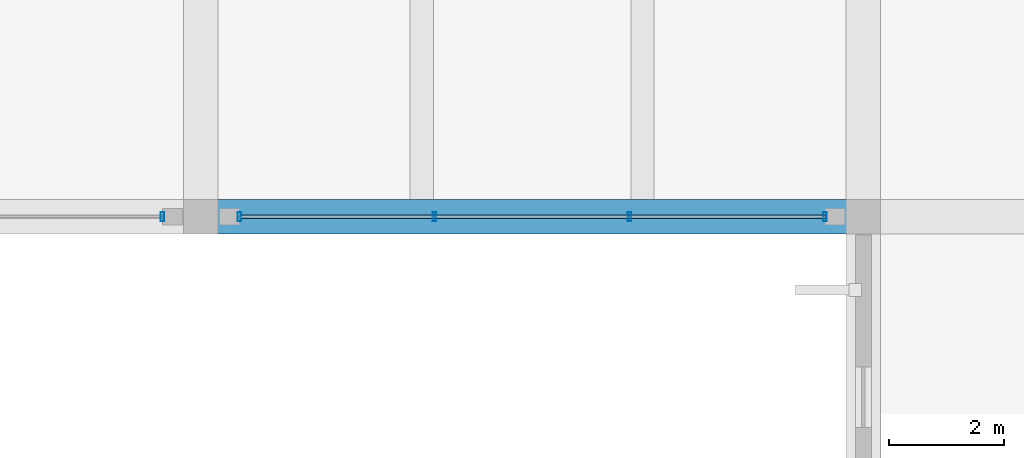
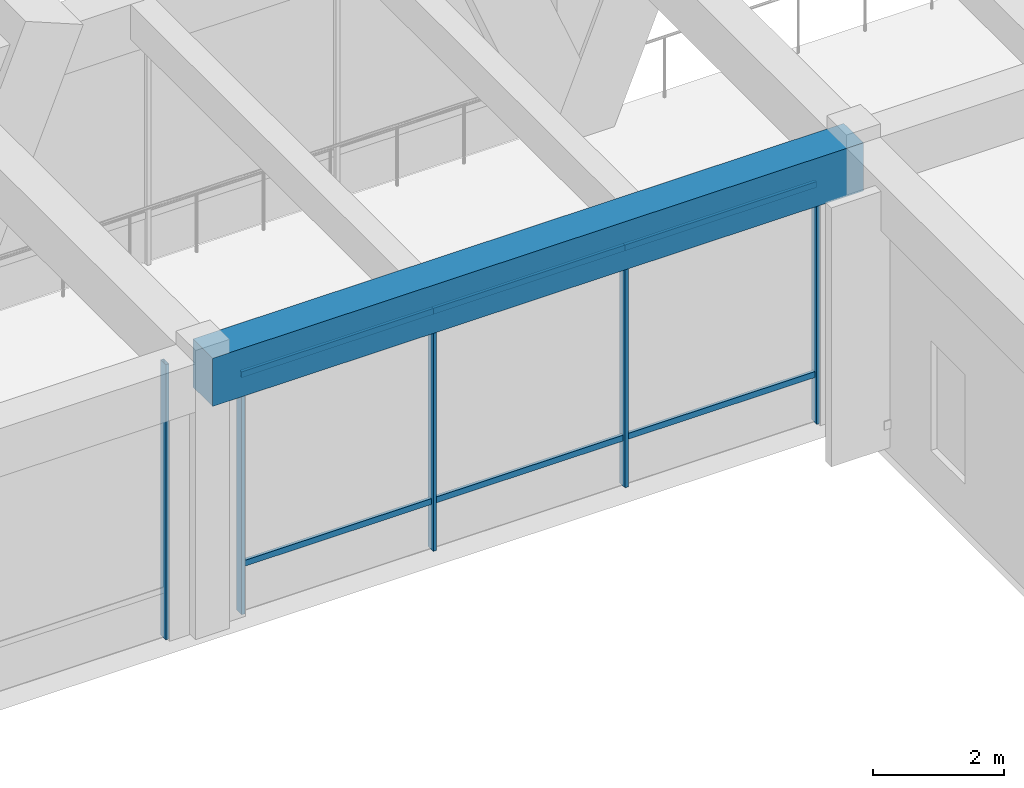
# One storey, part 93 of 148: 11 members, 1 beam, 2 elements without a shape of their own.
"""IFC4 building model written with IfcOpenShell, lengths in metres."""

import ifcopenshell
import ifcopenshell.guid

model = None  # the IFC model being written
_history = None  # IfcOwnerHistory: only IFC2X3 demands one
_inside = {}  # id of a spatial element -> (the spatial element, [elements in it])
_under = {}  # id of a project, library or spatial element -> (it, [spatial elements below it])
_declared = {}  # id of a project -> (the project, [libraries it declares])
_typed = {}  # id of a type object -> (the type object, [elements of that type])
_made_of = {}  # id of a material, layer set ... -> (it, [elements and type objects made of it])


def new_model(schema):
    """Start an empty IFC model of exactly this schema.

    Asked for "IFC4X3", IfcOpenShell would pick the latest addendum, in which some entities
    have other attributes; the version numbers below select the first issue.
    IFC2X3 requires an IfcOwnerHistory on every rooted entity: one is made here for all.
    """
    global model, _history
    if schema == "IFC4X3":
        model = ifcopenshell.file(schema_version=(4, 3, 0, 0))
    else:
        model = ifcopenshell.file(schema=schema)
    _inside.clear()
    _under.clear()
    _declared.clear()
    _typed.clear()
    _made_of.clear()
    _history = None
    if model.schema == "IFC2X3":
        org = make("IfcOrganization", Name="unknown")
        user = make(
            "IfcPersonAndOrganization",
            ThePerson=make("IfcPerson", FamilyName="unknown"),
            TheOrganization=org,
        )
        app = make(
            "IfcApplication",
            ApplicationDeveloper=org,
            Version="unknown",
            ApplicationFullName="unknown",
            ApplicationIdentifier="unknown",
        )
        _history = make(
            "IfcOwnerHistory",
            OwningUser=user,
            OwningApplication=app,
            ChangeAction="ADDED",
            CreationDate=0,
        )
    return model


def make(cls, **values):
    """One entity of the class cls with the attributes given. An attribute that is None is left unset."""
    return model.create_entity(
        cls, **{name: value for name, value in values.items() if value is not None}
    )


def rooted(cls, **values):
    """An entity with a GlobalId (a new one), such as an element, a storey or a relation."""
    return make(cls, GlobalId=ifcopenshell.guid.new(), OwnerHistory=_history, **values)


def si_unit(unit_type, name, prefix=None):
    """IfcSIUnit, for example si_unit("LENGTHUNIT", "METRE", prefix="MILLI")."""
    return make("IfcSIUnit", UnitType=unit_type, Prefix=prefix, Name=name)


def assignment(units):
    """IfcUnitAssignment: the units of a project."""
    return None if units is None else make("IfcUnitAssignment", Units=units)


def point(xyz):
    """IfcCartesianPoint."""
    return None if xyz is None else make("IfcCartesianPoint", Coordinates=xyz)


def direction(xyz):
    """IfcDirection."""
    return None if xyz is None else make("IfcDirection", DirectionRatios=xyz)


def frame(location, z_axis=None, x_axis=None):
    """IfcAxis2Placement3D, a coordinate frame: its origin and axes. An axis left out is left unset."""
    return make(
        "IfcAxis2Placement3D",
        Location=point(location),
        Axis=direction(z_axis),
        RefDirection=direction(x_axis),
    )


def frame_2d(location, x_axis=None):
    """IfcAxis2Placement2D, a coordinate frame in the plane: its origin and x axis."""
    return make(
        "IfcAxis2Placement2D", Location=point(location), RefDirection=direction(x_axis)
    )


def origin():
    """The frame at (0, 0, 0) with its axes left unset."""
    return frame((0.0, 0.0, 0.0))


def origin_2d():
    """The frame at (0, 0) in the plane with its x axis left unset."""
    return frame_2d((0.0, 0.0))


def place(relative_to, where):
    """IfcLocalPlacement: puts the frame where relative to a parent placement (None: the world)."""
    return make(
        "IfcLocalPlacement", PlacementRelTo=relative_to, RelativePlacement=where
    )


def context(
    kind, dimensions, precision=None, world=None, true_north=None, identifier=None
):
    """IfcGeometricRepresentationContext, for example the 3D "Model" context."""
    return make(
        "IfcGeometricRepresentationContext",
        ContextIdentifier=identifier,
        ContextType=kind,
        CoordinateSpaceDimension=dimensions,
        Precision=precision,
        WorldCoordinateSystem=world,
        TrueNorth=true_north,
    )


def subcontext(parent, identifier, kind, view, scale=None):
    """IfcGeometricRepresentationSubContext, for example "Body" below "Model"."""
    return make(
        "IfcGeometricRepresentationSubContext",
        ContextIdentifier=identifier,
        ContextType=kind,
        ParentContext=parent,
        TargetScale=scale,
        TargetView=view,
    )


def project(units=None, contexts=None):
    """IfcProject with its units and contexts."""
    return rooted(
        "IfcProject",
        Name="project",
        RepresentationContexts=contexts,
        UnitsInContext=assignment(units),
    )


def spatial(cls, under=None, at=None, **own):
    """A site, building, storey or space (cls), placed at a placement, below another one or the project."""
    s = rooted(cls, ObjectPlacement=at, **own)
    if under is not None:
        _under.setdefault(under.id(), (under, []))[1].append(s)
    return s


def profile(cls, at=None, kind="AREA", **sizes):
    """A parametric profile (cls). Its sizes go by their IFC names, for example OverallWidth=200.0."""
    return make(cls, ProfileType=kind, Position=at, **sizes)


def rectangle(**sizes):
    """IfcRectangleProfileDef."""
    return profile("IfcRectangleProfileDef", **sizes)


def hollow_rectangle(**sizes):
    """IfcRectangleHollowProfileDef."""
    return profile("IfcRectangleHollowProfileDef", **sizes)


def extrude(swept, where, along, depth):
    """IfcExtrudedAreaSolid: the profile swept, set in the frame where, extruded along a direction by depth."""
    return make(
        "IfcExtrudedAreaSolid",
        SweptArea=swept,
        Position=where,
        ExtrudedDirection=direction(along),
        Depth=depth,
    )


def shape(context_of_items, identifier, shape_type, items):
    """IfcShapeRepresentation: the items that make up one representation, for example the "Body"."""
    return make(
        "IfcShapeRepresentation",
        ContextOfItems=context_of_items,
        RepresentationIdentifier=identifier,
        RepresentationType=shape_type,
        Items=items,
    )


def material(Name=None, Category=None):
    """IfcMaterial."""
    return make("IfcMaterial", Name=Name, Category=Category)


def material_profile(
    of_material, cross_section, Name=None, Category=None, Priority=None
):
    """IfcMaterialProfile: a cross section and its material."""
    return make(
        "IfcMaterialProfile",
        Name=Name,
        Material=of_material,
        Profile=cross_section,
        Priority=Priority,
        Category=Category,
    )


def profile_set(profiles, Name=None, composite=None):
    """IfcMaterialProfileSet."""
    return make(
        "IfcMaterialProfileSet",
        Name=Name,
        MaterialProfiles=profiles,
        CompositeProfile=composite,
    )


def made_of(thing, what):
    """Note that an element or type object is made of a material, layer set ...; save() writes the relation."""
    if what is not None:
        _made_of.setdefault(what.id(), (what, []))[1].append(thing)
    return thing


def type_object(cls, material=None, **own):
    """A type object (cls), such as IfcWallType, which elements share."""
    return made_of(rooted(cls, **own), material)


def element(
    cls,
    number,
    at=None,
    inside=None,
    cuts=None,
    type_object=None,
    material=None,
    context=None,
    identifier="Body",
    shape_type=None,
    held_by="IfcProductDefinitionShape",
    body=None,
    shapes=None,
    **own,
):
    """One element of the class cls, such as IfcWall. Its Tag is "e" and its number.

    at: its placement. inside: the storey or other place that contains it. cuts: it is an
    opening in that element (IfcRelVoidsElement). A single representation is given by context,
    identifier, shape_type and body (its items); several are given by shapes. held_by: the class
    of the entity that holds the representations. save() writes the other relations.
    """
    e = rooted(cls, Tag="e%d" % number, ObjectPlacement=at, **own)
    if body is not None:
        shapes = [shape(context, identifier, shape_type, body)]
    if shapes is not None:
        e.Representation = make(held_by, Representations=shapes)
    if inside is not None:
        _inside.setdefault(inside.id(), (inside, []))[1].append(e)
    if cuts is not None:
        rooted(
            "IfcRelVoidsElement", RelatingBuildingElement=cuts, RelatedOpeningElement=e
        )
    if type_object is not None:
        _typed.setdefault(type_object.id(), (type_object, []))[1].append(e)
    return made_of(e, material)


def aggregate(whole, parts):
    """IfcRelAggregates: a whole, such as a stair, and the parts it consists of."""
    return rooted("IfcRelAggregates", RelatingObject=whole, RelatedObjects=parts)


def save(model, path):
    """Write the relations noted so far, then the file.

    IfcRelAggregates (storeys below a building ...), IfcRelContainedInSpatialStructure (elements
    in a storey), IfcRelDefinesByType, IfcRelAssociatesMaterial and IfcRelDeclares: one each for
    every whole, place, type object, material and project.
    """
    for whole, parts in _under.values():
        aggregate(whole, parts)
    for where, things in _inside.values():
        rooted(
            "IfcRelContainedInSpatialStructure",
            RelatedElements=things,
            RelatingStructure=where,
        )
    for kind, things in _typed.values():
        rooted("IfcRelDefinesByType", RelatedObjects=things, RelatingType=kind)
    for what, things in _made_of.values():
        rooted("IfcRelAssociatesMaterial", RelatedObjects=things, RelatingMaterial=what)
    for by, libraries in _declared.values():
        rooted("IfcRelDeclares", RelatingContext=by, RelatedDefinitions=libraries)
    model.write(path)


model = new_model("IFC4")

# Units and contexts
model_context = context("Model", 3, precision=1e-05, world=origin(), true_north=direction((0.0, 1.0)))
body_context = subcontext(model_context, "Body", "Model", "MODEL_VIEW")
ifc_project = project(units=[si_unit("LENGTHUNIT", "METRE"), si_unit("AREAUNIT", "SQUARE_METRE"), si_unit("VOLUMEUNIT", "CUBIC_METRE"), si_unit("PLANEANGLEUNIT", "RADIAN"), si_unit("MASSUNIT", "GRAM", prefix="KILO")], contexts=[model_context])

# Site, building, storey
site_placement = place(None, origin())
site = spatial("IfcSite", under=ifc_project, at=site_placement, CompositionType="ELEMENT")
building_placement = place(site_placement, origin())
building = spatial("IfcBuilding", under=site, at=building_placement, Name="Ologun Quay Terminus", CompositionType="ELEMENT")
storey_placement = place(building_placement, frame((0.0, 0.0, 8.39990234375)))
storey = spatial("IfcBuildingStorey", under=building, at=storey_placement, Name="L02", CompositionType="ELEMENT", Elevation=8.39990234375)

# Curtain wall, member
ifc_material_1 = material(Name="Aluminium 6063-T6", Category="aluminium")
curtain_wall_type = type_object("IfcCurtainWallType", Name="Concourse Departure Curtain Wall 10700x4950", PredefinedType="USERDEFINED", material=ifc_material_1)
curtain_wall_1_placement = place(storey_placement, origin())
curtain_wall_1 = element("IfcCurtainWall", 1, at=curtain_wall_1_placement, inside=storey, type_object=curtain_wall_type, Name="CW-05 Curtain Wall CW-L02-032", ObjectType="UNITISED CURTAIN WALL", PredefinedType="USERDEFINED")
ifc_material_2 = material(Name="Aluminium 6063-T6", Category="aluminium")
ifc_material_profile_1 = material_profile(ifc_material_2, hollow_rectangle(XDim=0.06005859375, YDim=0.159912109375, WallThickness=0.00390625, at=origin_2d()), Name="ALU 160x60x4")
ifc_profile_set_1 = profile_set([ifc_material_profile_1], Name="Aluminium 6063-T6")
member_type_1 = type_object("IfcMemberType", Name="Curtain Wall Standard Mullion 160x65", PredefinedType="MULLION", material=ifc_profile_set_1)
member_1_placement = place(storey_placement, frame((160.330078125, 27.199951171875, 0.0), z_axis=(0.0, 0.0, 1.0), x_axis=(1.0, 0.0, 0.0)))
member_1 = element("IfcMember", 2, at=member_1_placement, type_object=member_type_1, Name="CW-L02-032 Mullion 4", PredefinedType="MULLION", context=body_context, shape_type="SweptSolid", body=[
    extrude(hollow_rectangle(XDim=0.06005859375, YDim=0.159912109375, WallThickness=0.00390625, at=origin_2d()), origin(), (0.0, 0.0, 1.0), 5.14013671875),
])
aggregate(curtain_wall_1, [member_1])

# Curtain wall, members
curtain_wall_2_placement = place(storey_placement, origin())
curtain_wall_2 = element("IfcCurtainWall", 3, at=curtain_wall_2_placement, inside=storey, type_object=curtain_wall_type, Name="CW-05 Curtain Wall CW-L02-033", ObjectType="UNITISED CURTAIN WALL", PredefinedType="USERDEFINED")
member_2_placement = place(storey_placement, frame((161.669921875, 27.199951171875, 0.0), z_axis=(0.0, 0.0, 1.0), x_axis=(1.0, 0.0, 0.0)))
member_2 = element("IfcMember", 4, at=member_2_placement, type_object=member_type_1, Name="CW-L02-033 Mullion 1", PredefinedType="MULLION", context=body_context, shape_type="SweptSolid", body=[
    extrude(hollow_rectangle(XDim=0.06005859375, YDim=0.159912109375, WallThickness=0.00390625, at=origin_2d()), origin(), (0.0, 0.0, 1.0), 5.14013671875),
])
member_3_placement = place(storey_placement, frame((165.056640625, 27.199951171875, 0.0), z_axis=(0.0, 0.0, 1.0), x_axis=(1.0, 0.0, 0.0)))
member_3 = element("IfcMember", 5, at=member_3_placement, type_object=member_type_1, Name="CW-L02-033 Mullion 2", PredefinedType="MULLION", context=body_context, shape_type="SweptSolid", body=[
    extrude(hollow_rectangle(XDim=0.06005859375, YDim=0.159912109375, WallThickness=0.00390625, at=origin_2d()), origin(), (0.0, 0.0, 1.0), 5.14013671875),
])
member_4_placement = place(storey_placement, frame((168.443359375, 27.199951171875, 0.0), z_axis=(0.0, 0.0, 1.0), x_axis=(1.0, 0.0, 0.0)))
member_4 = element("IfcMember", 6, at=member_4_placement, type_object=member_type_1, Name="CW-L02-033 Mullion 3", PredefinedType="MULLION", context=body_context, shape_type="SweptSolid", body=[
    extrude(hollow_rectangle(XDim=0.06005859375, YDim=0.159912109375, WallThickness=0.00390625, at=origin_2d()), origin(), (0.0, 0.0, 1.0), 5.14013671875),
])
member_5_placement = place(storey_placement, frame((171.830078125, 27.199951171875, 0.0), z_axis=(0.0, 0.0, 1.0), x_axis=(1.0, 0.0, 0.0)))
member_5 = element("IfcMember", 7, at=member_5_placement, type_object=member_type_1, Name="CW-L02-033 Mullion 4", PredefinedType="MULLION", context=body_context, shape_type="SweptSolid", body=[
    extrude(hollow_rectangle(XDim=0.06005859375, YDim=0.159912109375, WallThickness=0.00390625, at=origin_2d()), origin(), (0.0, 0.0, 1.0), 5.14013671875),
])
ifc_material_3 = material(Name="Aluminium 6063-T6", Category="aluminium")
ifc_material_profile_2 = material_profile(ifc_material_3, hollow_rectangle(XDim=0.054931640625, YDim=0.110107421875, WallThickness=0.00390625, at=origin_2d()), Name="ALU 110x55x4")
ifc_profile_set_2 = profile_set([ifc_material_profile_2], Name="Aluminium 6063-T6")
member_type_2 = type_object("IfcMemberType", Name="Curtain Wall Standard Transom 110x55", PredefinedType="USERDEFINED", material=ifc_profile_set_2)
member_6_placement = place(storey_placement, frame((161.669921875, 27.199951171875, 0.900146484375), z_axis=(1.0, 0.0, 0.0), x_axis=(0.0, 1.0, 0.0)))
member_6 = element("IfcMember", 8, at=member_6_placement, type_object=member_type_2, Name="CW-L02-033 Transom B1-1", ObjectType="TRANSOM", PredefinedType="USERDEFINED", context=body_context, shape_type="SweptSolid", body=[
    extrude(hollow_rectangle(XDim=0.054931640625, YDim=0.110107421875, WallThickness=0.00390625, at=origin_2d()), origin(), (0.0, 0.0, 1.0), 3.38671875),
])
member_7_placement = place(storey_placement, frame((161.669921875, 27.199951171875, 4.440185546875), z_axis=(1.0, 0.0, 0.0), x_axis=(0.0, 1.0, 0.0)))
member_7 = element("IfcMember", 9, at=member_7_placement, type_object=member_type_2, Name="CW-L02-033 Transom B1-2", ObjectType="TRANSOM", PredefinedType="USERDEFINED", context=body_context, shape_type="SweptSolid", body=[
    extrude(hollow_rectangle(XDim=0.054931640625, YDim=0.110107421875, WallThickness=0.00390625, at=origin_2d()), origin(), (0.0, 0.0, 1.0), 3.38671875),
])
member_8_placement = place(storey_placement, frame((165.056640625, 27.199951171875, 0.900146484375), z_axis=(1.0, 0.0, 0.0), x_axis=(0.0, 1.0, 0.0)))
member_8 = element("IfcMember", 10, at=member_8_placement, type_object=member_type_2, Name="CW-L02-033 Transom B2-1", ObjectType="TRANSOM", PredefinedType="USERDEFINED", context=body_context, shape_type="SweptSolid", body=[
    extrude(hollow_rectangle(XDim=0.054931640625, YDim=0.110107421875, WallThickness=0.00390625, at=origin_2d()), origin(), (0.0, 0.0, 1.0), 3.38671875),
])
member_9_placement = place(storey_placement, frame((165.056640625, 27.199951171875, 4.440185546875), z_axis=(1.0, 0.0, 0.0), x_axis=(0.0, 1.0, 0.0)))
member_9 = element("IfcMember", 11, at=member_9_placement, type_object=member_type_2, Name="CW-L02-033 Transom B2-2", ObjectType="TRANSOM", PredefinedType="USERDEFINED", context=body_context, shape_type="SweptSolid", body=[
    extrude(hollow_rectangle(XDim=0.054931640625, YDim=0.110107421875, WallThickness=0.00390625, at=origin_2d()), origin(), (0.0, 0.0, 1.0), 3.38671875),
])
member_10_placement = place(storey_placement, frame((168.443359375, 27.199951171875, 0.900146484375), z_axis=(1.0, 0.0, 0.0), x_axis=(0.0, 1.0, 0.0)))
member_10 = element("IfcMember", 12, at=member_10_placement, type_object=member_type_2, Name="CW-L02-033 Transom B3-1", ObjectType="TRANSOM", PredefinedType="USERDEFINED", context=body_context, shape_type="SweptSolid", body=[
    extrude(hollow_rectangle(XDim=0.054931640625, YDim=0.110107421875, WallThickness=0.00390625, at=origin_2d()), origin(), (0.0, 0.0, 1.0), 3.38671875),
])
member_11_placement = place(storey_placement, frame((168.443359375, 27.199951171875, 4.440185546875), z_axis=(1.0, 0.0, 0.0), x_axis=(0.0, 1.0, 0.0)))
member_11 = element("IfcMember", 13, at=member_11_placement, type_object=member_type_2, Name="CW-L02-033 Transom B3-2", ObjectType="TRANSOM", PredefinedType="USERDEFINED", context=body_context, shape_type="SweptSolid", body=[
    extrude(hollow_rectangle(XDim=0.054931640625, YDim=0.110107421875, WallThickness=0.00390625, at=origin_2d()), origin(), (0.0, 0.0, 1.0), 3.38671875),
])
aggregate(curtain_wall_2, [member_2, member_3, member_4, member_5, member_6, member_7, member_8, member_9, member_10, member_11])

# Beam
ifc_material_4 = material(Name="Concrete C40/50", Category="concrete")
ifc_material_profile_3 = material_profile(ifc_material_4, rectangle(XDim=0.60009765625, YDim=0.89990234375, at=origin_2d()), Name="RC 600x900")
ifc_profile_set_3 = profile_set([ifc_material_profile_3], Name="Concrete C40/50")
beam_type = type_object("IfcBeamType", Name="Station Frame Girder 600x900", PredefinedType="BEAM", material=ifc_profile_set_3)
beam_placement = place(storey_placement, frame((161.0, 27.199951171875, 4.7001953125), z_axis=(1.0, 0.0, 0.0), x_axis=(0.0, 1.0, 0.0)))
element("IfcBeam", 14, at=beam_placement, inside=storey, type_object=beam_type, Name="B3 Beam 15/D L02", PredefinedType="BEAM", context=body_context, shape_type="SweptSolid", body=[
    extrude(rectangle(XDim=0.60009765625, YDim=0.89990234375, at=origin_2d()), origin(), (0.0, 0.0, 1.0), 11.5),
])

save(model, "model.ifc")
